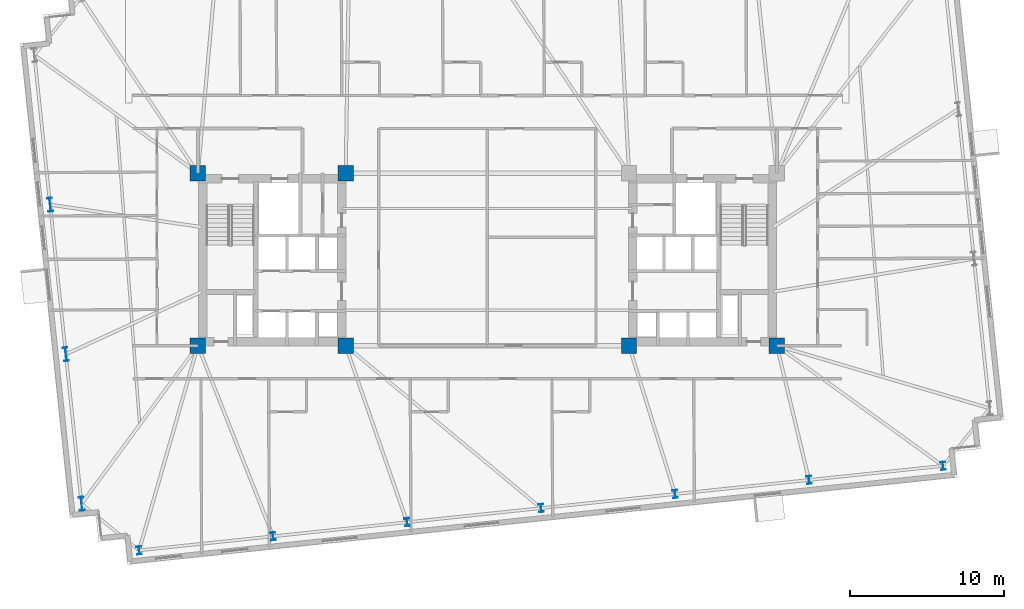
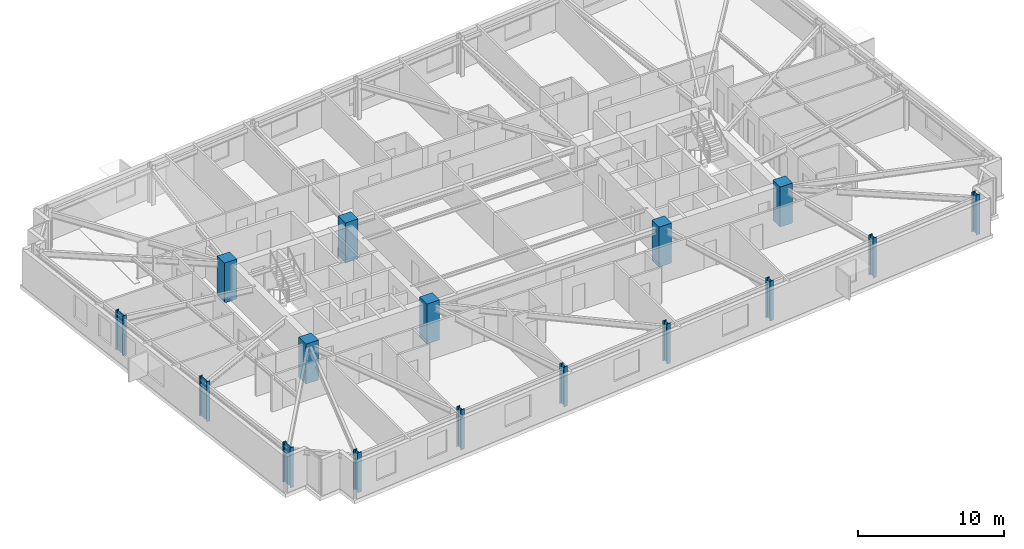
# One storey, part 1 of 20: 16 columns.
"""IFC4 building model written with IfcOpenShell, lengths in metres."""

from ifc_helpers import new_model, si_unit, direction, frame, origin, origin_2d, place, context, subcontext, project, spatial, rectangle, i_section, extrude, material, material_profile, profile_set, type_object, element, save


model = new_model("IFC4")

# Units and contexts
model_context = context("Model", 3, precision=1e-05, world=origin(), true_north=direction((0.0, 1.0)))
body_context = subcontext(model_context, "Body", "Model", "MODEL_VIEW")
ifc_project = project(units=[si_unit("LENGTHUNIT", "METRE"), si_unit("AREAUNIT", "SQUARE_METRE"), si_unit("VOLUMEUNIT", "CUBIC_METRE"), si_unit("PLANEANGLEUNIT", "RADIAN"), si_unit("MASSUNIT", "GRAM", prefix="KILO")], contexts=[model_context])

# Site, building, storey
site_placement = place(None, origin())
site = spatial("IfcSite", under=ifc_project, at=site_placement, CompositionType="ELEMENT")
building_placement = place(site_placement, origin())
building = spatial("IfcBuilding", under=site, at=building_placement, Name="Qobustan Lattice House", CompositionType="ELEMENT")
storey_placement = place(building_placement, frame((0.0, 0.0, 89.050048828125)))
storey = spatial("IfcBuildingStorey", under=building, at=storey_placement, Name="L24", CompositionType="ELEMENT", Elevation=89.050048828125)

# Columns
ifc_material_1 = material(Name="Concrete C60/75", Category="concrete")
ifc_material_profile_1 = material_profile(ifc_material_1, rectangle(XDim=1.0, YDim=1.0, at=origin_2d()), Name="RC1000x1000")
ifc_profile_set_1 = profile_set([ifc_material_profile_1], Name="Concrete C60/75")
column_type_1 = type_object("IfcColumnType", Name="COL-RC-1000", PredefinedType="COLUMN", material=ifc_profile_set_1)
for number, where, z_axis, x_axis, name in (
    (1, (-18.800048828125, -5.60009765625, 0.0), (0.0, 0.0, 1.0), (1.0, 0.0, 0.0), "L24 core mega-column CW-SW"),
    (2, (-18.800048828125, 5.60009765625, 0.0), (0.0, 0.0, 1.0), (1.0, 0.0, 0.0), "L24 core mega-column CW-NW"),
    (3, (-9.199951171875, -5.60009765625, 0.0), (0.0, 0.0, 1.0), (1.0, 0.0, 0.0), "L24 core mega-column CW-SE"),
    (4, (-9.199951171875, 5.60009765625, 0.0), (0.0, 0.0, 1.0), (1.0, 0.0, 0.0), "L24 core mega-column CW-NE"),
    (5, (9.199951171875, -5.60009765625, 0.0), (0.0, 0.0, 1.0), (1.0, 0.0, 0.0), "L24 core mega-column CE-SW"),
    (6, (18.800048828125, -5.60009765625, 0.0), (0.0, 0.0, 1.0), (1.0, 0.0, 0.0), "L24 core mega-column CE-SE"),
):
    element("IfcColumn", number, at=place(storey_placement, frame(where, z_axis=z_axis, x_axis=x_axis)), inside=storey, type_object=column_type_1, Name=name, PredefinedType="COLUMN", context=body_context, shape_type="SweptSolid", body=[
        extrude(rectangle(XDim=1.0, YDim=1.0, at=origin_2d()), origin(), (0.0, 0.0, 1.0), 3.349853515625),
    ])
ifc_material_2 = material(Name="Steel S355", Category="steel")
ifc_material_profile_2 = material_profile(ifc_material_2, i_section(OverallWidth=0.300048828125, OverallDepth=0.89990234375, WebThickness=0.0185546875, FlangeThickness=0.034912109375, FilletRadius=0.030029296875, at=origin_2d()), Name="HEB900")
ifc_profile_set_2 = profile_set([ifc_material_profile_2], Name="Steel S355")
column_type_2 = type_object("IfcColumnType", Name="COL-ST-HEB900", PredefinedType="COLUMN", material=ifc_profile_set_2)
for number, where, z_axis, x_axis, name in (
    (7, (-28.39794921875, 3.557373046875, 0.0), (0.0, 0.0, 1.0), (0.994521895368, 0.104528463268, 0.0), "L24 B2 perimeter column W2"),
    (8, (-27.377197265625, -6.156005859375, 0.0), (0.0, 0.0, 1.0), (0.994521895368, 0.104528463268, 0.0), "L24 B2 perimeter column W3"),
    (9, (-26.356201171875, -15.868896484375, 0.0), (0.0, 0.0, 1.0), (0.994521895368, 0.104528463268, 0.0), "L24 B2 perimeter column W4"),
):
    element("IfcColumn", number, at=place(storey_placement, frame(where, z_axis=z_axis, x_axis=x_axis)), inside=storey, type_object=column_type_2, Name=name, PredefinedType="COLUMN", context=body_context, shape_type="SweptSolid", body=[
        extrude(i_section(OverallWidth=0.300048828125, OverallDepth=0.89990234375, WebThickness=0.0185546875, FlangeThickness=0.034912109375, FilletRadius=0.030029296875, at=origin_2d()), origin(), (0.0, 0.0, 1.0), 3.349853515625),
    ])
ifc_material_3 = material(Name="Steel S355", Category="steel")
ifc_material_profile_3 = material_profile(ifc_material_3, i_section(OverallWidth=0.305908203125, OverallDepth=0.52392578125, WebThickness=0.02099609375, FlangeThickness=0.0400390625, FilletRadius=0.027099609375, at=origin_2d()), Name="HEM500")
ifc_profile_set_3 = profile_set([ifc_material_profile_3], Name="Steel S355")
column_type_3 = type_object("IfcColumnType", Name="COL-ST-HEM500", PredefinedType="COLUMN", material=ifc_profile_set_3)
for number, where, z_axis, x_axis, name in (
    (10, (-22.619384765625, -18.89501953125, 0.0), (0.0, 0.0, 1.0), (0.994521895368, 0.104528463268, 0.0), "L24 B2 perimeter column S1"),
    (11, (-13.91748046875, -17.98046875, 0.0), (0.0, 0.0, 1.0), (0.994521895368, 0.104528463268, 0.0), "L24 B2 perimeter column S2"),
    (12, (-5.21533203125, -17.065673828125, 0.0), (0.0, 0.0, 1.0), (0.994521895368, 0.104528463268, 0.0), "L24 B2 perimeter column S3"),
    (13, (3.48681640625, -16.151123046875, 0.0), (0.0, 0.0, 1.0), (0.994521895368, 0.104528463268, 0.0), "L24 B2 perimeter column S4"),
    (14, (12.188720703125, -15.236572265625, 0.0), (0.0, 0.0, 1.0), (0.994521895368, 0.104528463268, 0.0), "L24 B2 perimeter column S5"),
    (15, (20.890869140625, -14.322021484375, 0.0), (0.0, 0.0, 1.0), (0.994521895368, 0.104528463268, 0.0), "L24 B2 perimeter column S6"),
    (16, (29.593017578125, -13.4072265625, 0.0), (0.0, 0.0, 1.0), (0.994521895368, 0.104528463268, 0.0), "L24 B2 perimeter column S7"),
):
    element("IfcColumn", number, at=place(storey_placement, frame(where, z_axis=z_axis, x_axis=x_axis)), inside=storey, type_object=column_type_3, Name=name, PredefinedType="COLUMN", context=body_context, shape_type="SweptSolid", body=[
        extrude(i_section(OverallWidth=0.305908203125, OverallDepth=0.52392578125, WebThickness=0.02099609375, FlangeThickness=0.0400390625, FilletRadius=0.027099609375, at=origin_2d()), origin(), (0.0, 0.0, 1.0), 3.349853515625),
    ])

save(model, "model.ifc")
